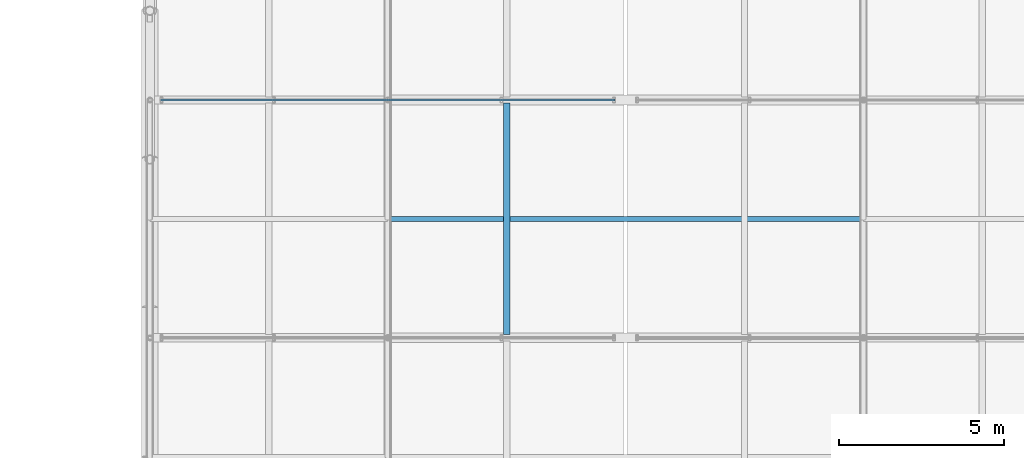
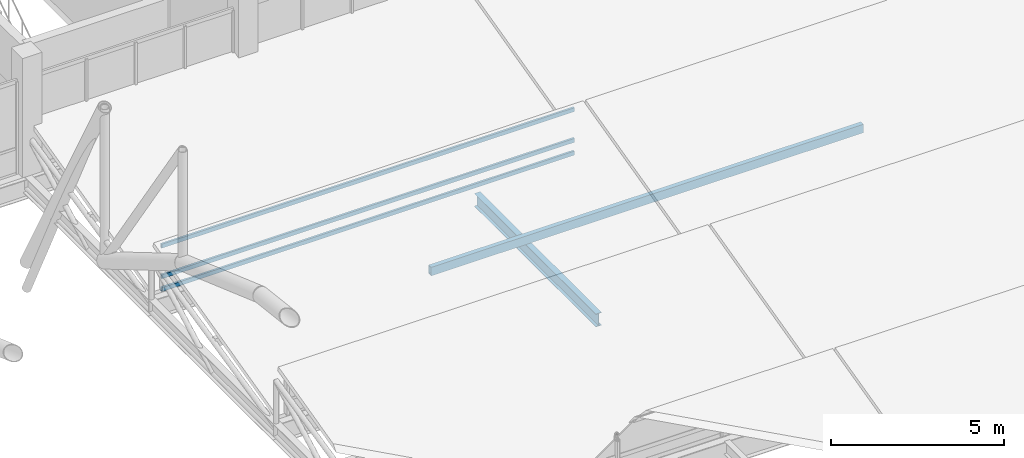
# One storey, part 78 of 144: 4 members, 1 beam, 1 element without a shape of its own.
"""IFC4 building model written with IfcOpenShell, lengths in metres."""

from ifc_helpers import new_model, si_unit, direction, frame, origin, origin_2d, place, context, subcontext, project, spatial, hollow_rectangle, i_section, extrude, material, material_profile, profile_set, type_object, element, aggregate, save


model = new_model("IFC4")

# Units and contexts
model_context = context("Model", 3, precision=1e-05, world=origin(), true_north=direction((0.0, 1.0)))
body_context = subcontext(model_context, "Body", "Model", "MODEL_VIEW")
ifc_project = project(units=[si_unit("LENGTHUNIT", "METRE"), si_unit("AREAUNIT", "SQUARE_METRE"), si_unit("VOLUMEUNIT", "CUBIC_METRE"), si_unit("PLANEANGLEUNIT", "RADIAN"), si_unit("MASSUNIT", "GRAM", prefix="KILO")], contexts=[model_context])

# Site, building, storey
site_placement = place(None, origin())
site = spatial("IfcSite", under=ifc_project, at=site_placement, CompositionType="ELEMENT")
building_placement = place(site_placement, origin())
building = spatial("IfcBuilding", under=site, at=building_placement, Name="Yarey Park Central Fire Station", CompositionType="ELEMENT")
storey_placement = place(building_placement, frame((0.0, 0.0, 10.199951171875)))
storey = spatial("IfcBuildingStorey", under=building, at=storey_placement, Name="L03", CompositionType="ELEMENT", Elevation=10.199951171875)

# Curtain wall, members
ifc_material_1 = material(Name="Anodized Aluminium Frame", Category="aluminium")
curtain_wall_type = type_object("IfcCurtainWallType", Name="ENV_CW_SAW_18", PredefinedType="NOTDEFINED", material=ifc_material_1)
curtain_wall_placement = place(storey_placement, origin())
curtain_wall = element("IfcCurtainWall", 1, at=curtain_wall_placement, inside=storey, type_object=curtain_wall_type, Name="CW_L03_SAW_6_1", PredefinedType="NOTDEFINED")
ifc_material_profile_1 = material_profile(ifc_material_1, hollow_rectangle(XDim=0.070068359375, YDim=0.139892578125, WallThickness=0.00390625, at=origin_2d()), Name="ALU 140x70x4")
ifc_profile_set_1 = profile_set([ifc_material_profile_1], Name="Anodized Aluminium Frame")
member_type_1 = type_object("IfcMemberType", Name="ENV_CW_TRANSOM", PredefinedType="USERDEFINED", material=ifc_profile_set_1)
member_1_placement = place(storey_placement, frame((150.875, 86.39990234375, 0.025146484375), z_axis=(-1.0, 0.0, 0.0), x_axis=(0.0, -1.0, 0.0)))
member_1 = element("IfcMember", 2, at=member_1_placement, type_object=member_type_1, Name="CW_L03_SAW_6_1_TRN1", ObjectType="TRANSOM", PredefinedType="USERDEFINED", context=body_context, shape_type="SweptSolid", body=[
    extrude(hollow_rectangle(XDim=0.070068359375, YDim=0.139892578125, WallThickness=0.00390625, at=origin_2d()), origin(), (0.0, 0.0, 1.0), 13.75),
])
member_2_placement = place(storey_placement, frame((150.875, 86.39990234375, 0.47412109375), z_axis=(-1.0, 0.0, 0.0), x_axis=(0.0, -1.0, 0.0)))
member_2 = element("IfcMember", 3, at=member_2_placement, type_object=member_type_1, Name="CW_L03_SAW_6_1_TRN2", ObjectType="TRANSOM", PredefinedType="USERDEFINED", context=body_context, shape_type="SweptSolid", body=[
    extrude(hollow_rectangle(XDim=0.070068359375, YDim=0.139892578125, WallThickness=0.00390625, at=origin_2d()), origin(), (0.0, 0.0, 1.0), 13.75),
])
member_3_placement = place(storey_placement, frame((150.875, 86.39990234375, 1.554931640625), z_axis=(-1.0, 0.0, 0.0), x_axis=(0.0, -1.0, 0.0)))
member_3 = element("IfcMember", 4, at=member_3_placement, type_object=member_type_1, Name="CW_L03_SAW_6_1_TRN3", ObjectType="TRANSOM", PredefinedType="USERDEFINED", context=body_context, shape_type="SweptSolid", body=[
    extrude(hollow_rectangle(XDim=0.070068359375, YDim=0.139892578125, WallThickness=0.00390625, at=origin_2d()), origin(), (0.0, 0.0, 1.0), 13.75),
])
aggregate(curtain_wall, [member_1, member_2, member_3])

# Beam
ifc_material_2 = material(Name="Steel ASTM A992 Gr. 50", Category="steel")
ifc_material_profile_2 = material_profile(ifc_material_2, i_section(OverallWidth=0.18994140625, OverallDepth=0.45703125, WebThickness=0.009033203125, FlangeThickness=0.014404296875, at=origin_2d()), Name="W460x74")
ifc_profile_set_2 = profile_set([ifc_material_profile_2], Name="Steel ASTM A992 Gr. 50")
beam_type = type_object("IfcBeamType", Name="STR_JST_W460", PredefinedType="JOIST", material=ifc_profile_set_2)
beam_placement = place(storey_placement, frame((147.60009765625, 79.294921875, -0.408447265625), z_axis=(0.0, 1.0, 0.0), x_axis=(-1.0, 0.0, 0.0)))
element("IfcBeam", 5, at=beam_placement, inside=storey, type_object=beam_type, Name="JST L03 X1476 Y792", PredefinedType="JOIST", context=body_context, shape_type="SweptSolid", body=[
    extrude(i_section(OverallWidth=0.18994140625, OverallDepth=0.45703125, WebThickness=0.009033203125, FlangeThickness=0.014404296875, at=origin_2d()), origin(), (0.0, 0.0, 1.0), 7.010009765625),
])

# Member
ifc_material_3 = material(Name="Steel ASTM A500 Gr. C", Category="steel")
ifc_material_profile_3 = material_profile(ifc_material_3, hollow_rectangle(XDim=0.14990234375, YDim=0.300048828125, WallThickness=0.010009765625, at=origin_2d()), Name="HSS 300x150x10")
ifc_profile_set_3 = profile_set([ifc_material_profile_3], Name="Steel ASTM A500 Gr. C")
member_type_2 = type_object("IfcMemberType", Name="STR_PUR_HSS300", PredefinedType="PURLIN", material=ifc_profile_set_3)
member_4_placement = place(storey_placement, frame((144.0, 82.800048828125, 0.462646484375), z_axis=(1.0, 0.0, 0.0), x_axis=(0.0, 1.0, 0.0)))
element("IfcMember", 6, at=member_4_placement, inside=storey, type_object=member_type_2, Name="SAW_PUR_2_B6", PredefinedType="PURLIN", context=body_context, shape_type="SweptSolid", body=[
    extrude(hollow_rectangle(XDim=0.14990234375, YDim=0.300048828125, WallThickness=0.010009765625, at=origin_2d()), origin(), (0.0, 0.0, 1.0), 14.39990234375),
])

save(model, "model.ifc")
